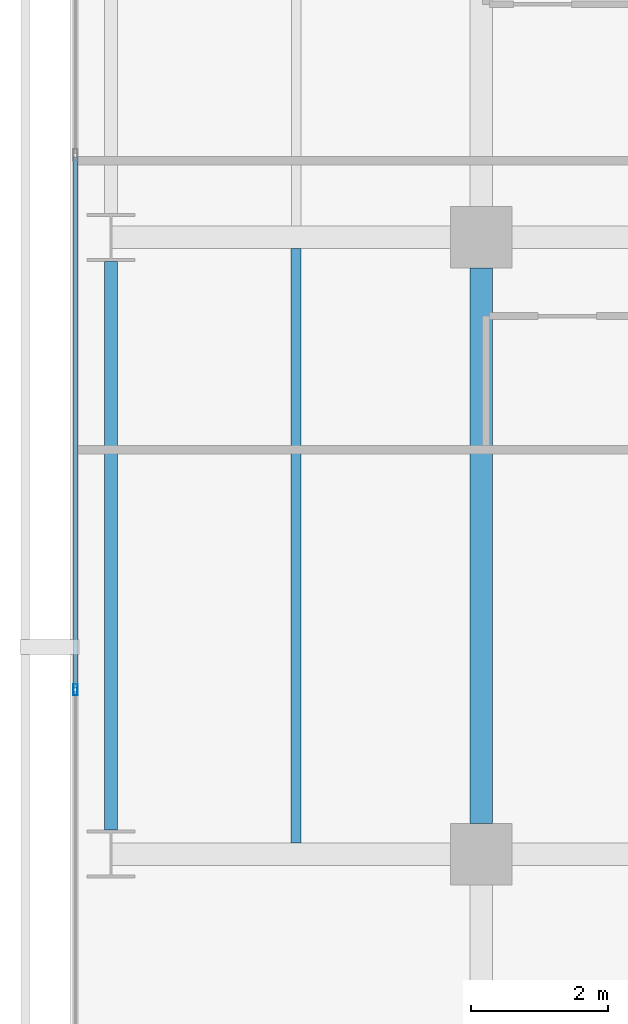
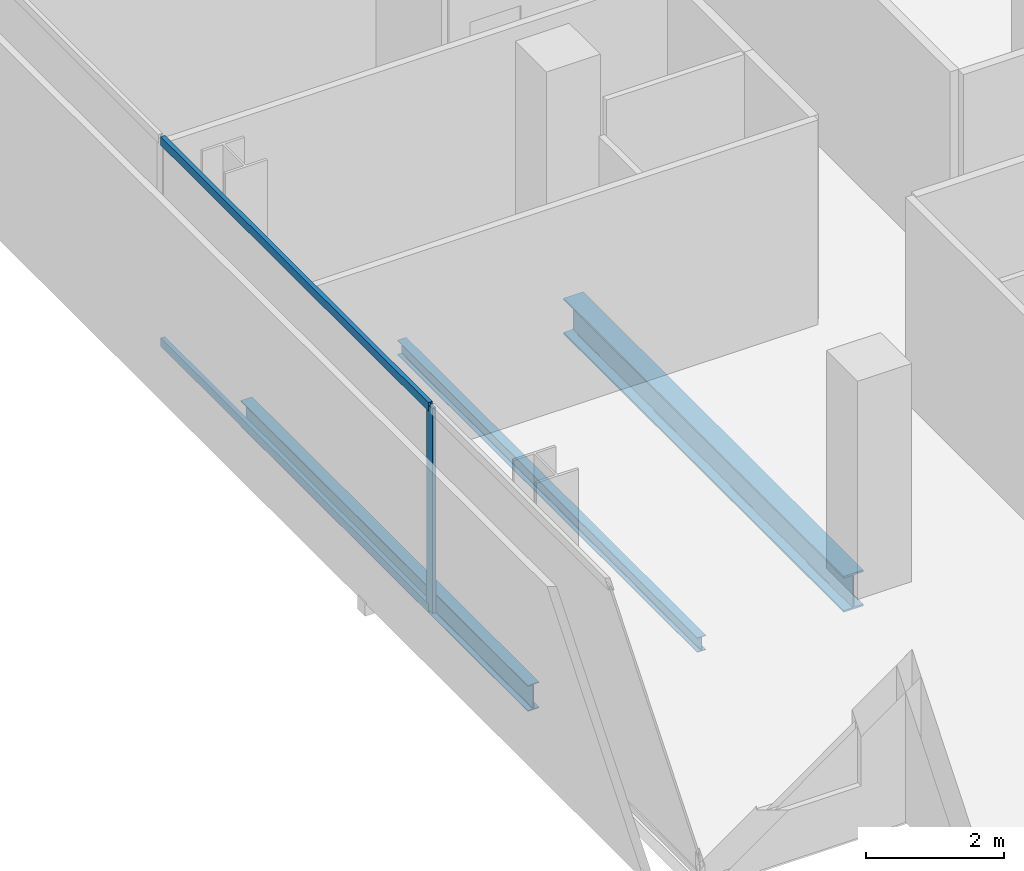
# One storey, part 5 of 40: 3 beams, 3 members, 1 element without a shape of its own.
"""IFC4 building model written with IfcOpenShell, lengths in metres."""

from ifc_helpers import new_model, si_unit, direction, frame, origin, origin_2d, place, context, subcontext, project, spatial, hollow_rectangle, i_section, extrude, material, layer, layer_set, material_profile, profile_set, type_object, element, aggregate, save


model = new_model("IFC4")

# Units and contexts
model_context = context("Model", 3, precision=1e-05, world=origin(), true_north=direction((0.0, 1.0)))
body_context = subcontext(model_context, "Body", "Model", "MODEL_VIEW")
ifc_project = project(units=[si_unit("LENGTHUNIT", "METRE"), si_unit("AREAUNIT", "SQUARE_METRE"), si_unit("VOLUMEUNIT", "CUBIC_METRE"), si_unit("PLANEANGLEUNIT", "RADIAN"), si_unit("MASSUNIT", "GRAM", prefix="KILO")], contexts=[model_context])

# Site, building, storey
site_placement = place(None, origin())
site = spatial("IfcSite", under=ifc_project, at=site_placement, CompositionType="ELEMENT")
building_placement = place(site_placement, origin())
building = spatial("IfcBuilding", under=site, at=building_placement, Name="Maruvema Waterfront Hotel and Observation Tower", CompositionType="ELEMENT")
storey_placement = place(building_placement, frame((0.0, 0.0, 30.800048828125)))
storey = spatial("IfcBuildingStorey", under=building, at=storey_placement, Name="L06", CompositionType="ELEMENT", Elevation=30.800048828125)

# Curtain wall, members
ifc_material_1 = material(Name="Anodised bronze aluminium and solar-control low-E IGU", Category="aluminium")
ifc_layer = layer(ifc_material_1, 0.159912109375, Name="Zone 1 Bronze Inner Thermal Curtain Wall System CW-02")
ifc_layer_set = layer_set([ifc_layer], Name="Anodised bronze aluminium and solar-control low-E IGU")
curtain_wall_type = type_object("IfcCurtainWallType", Name="Zone 1 Bronze Inner Thermal Curtain Wall System CW-02", PredefinedType="USERDEFINED", material=ifc_layer_set)
curtain_wall_placement = place(storey_placement, origin())
curtain_wall = element("IfcCurtainWall", 1, at=curtain_wall_placement, inside=storey, type_object=curtain_wall_type, Name="L06 Curtain Wall CW-L06-W", ObjectType="UNITISED CURTAIN WALL", PredefinedType="USERDEFINED")
ifc_material_2 = material(Name="Anodised architectural bronze aluminium", Category="aluminium")
ifc_material_profile_1 = material_profile(ifc_material_2, hollow_rectangle(XDim=0.070068359375, YDim=0.14990234375, WallThickness=0.00390625, at=origin_2d()), Name="ALU-T70x150")
ifc_profile_set_1 = profile_set([ifc_material_profile_1], Name="Anodised architectural bronze aluminium")
member_type_1 = type_object("IfcMemberType", Name="Curtain Wall Horizontal Transom ALU-T70x150", PredefinedType="USERDEFINED", material=ifc_profile_set_1)
member_1_placement = place(storey_placement, frame((10.8798828125, 19.169921875, 0.030029296875), z_axis=(0.0, -1.0, 0.0), x_axis=(1.0, 0.0, 0.0)))
member_1 = element("IfcMember", 2, at=member_1_placement, type_object=member_type_1, Name="CW-02 transom 5.1", ObjectType="TRANSOM", PredefinedType="USERDEFINED", context=body_context, shape_type="SweptSolid", body=[
    extrude(hollow_rectangle(XDim=0.070068359375, YDim=0.14990234375, WallThickness=0.00390625, at=origin_2d()), origin(), (0.0, 0.0, 1.0), 7.739990234375),
])
member_2_placement = place(storey_placement, frame((10.8798828125, 19.169921875, 3.579833984375), z_axis=(0.0, -1.0, 0.0), x_axis=(1.0, 0.0, 0.0)))
member_2 = element("IfcMember", 3, at=member_2_placement, type_object=member_type_1, Name="CW-02 transom 5.2", ObjectType="TRANSOM", PredefinedType="USERDEFINED", context=body_context, shape_type="SweptSolid", body=[
    extrude(hollow_rectangle(XDim=0.070068359375, YDim=0.14990234375, WallThickness=0.00390625, at=origin_2d()), origin(), (0.0, 0.0, 1.0), 7.739990234375),
])
ifc_material_3 = material(Name="Anodised architectural bronze aluminium", Category="aluminium")
ifc_material_profile_2 = material_profile(ifc_material_3, hollow_rectangle(XDim=0.06494140625, YDim=0.1650390625, WallThickness=0.00390625, at=origin_2d()), Name="ALU-M65x165")
ifc_profile_set_2 = profile_set([ifc_material_profile_2], Name="Anodised architectural bronze aluminium")
member_type_2 = type_object("IfcMemberType", Name="Curtain Wall Primary Mullion ALU-M65x165", PredefinedType="MULLION", material=ifc_profile_set_2)
member_3_placement = place(storey_placement, frame((10.8798828125, 11.39990234375, 0.0), z_axis=(0.0, 0.0, 1.0), x_axis=(1.0, 0.0, 0.0)))
member_3 = element("IfcMember", 4, at=member_3_placement, type_object=member_type_2, Name="CW-02 mullion 6", PredefinedType="MULLION", context=body_context, shape_type="SweptSolid", body=[
    extrude(hollow_rectangle(XDim=0.06494140625, YDim=0.1650390625, WallThickness=0.00390625, at=origin_2d()), origin(), (0.0, 0.0, 1.0), 3.60986328125),
])
aggregate(curtain_wall, [member_3, member_1, member_2])

# Beams
ifc_material_4 = material(Name="Steel ASTM A572 Grade 50", Category="steel")
ifc_material_profile_3 = material_profile(ifc_material_4, i_section(OverallWidth=0.18994140625, OverallDepth=0.45703125, WebThickness=0.009033203125, FlangeThickness=0.014404296875, FilletRadius=0.014892578125, at=origin_2d()), Name="W460x74.0")
ifc_profile_set_3 = profile_set([ifc_material_profile_3], Name="Steel ASTM A572 Grade 50")
beam_type_1 = type_object("IfcBeamType", Name="Perimeter Spandrel Beam W460x74.0", PredefinedType="SPANDREL", material=ifc_profile_set_3)
beam_1_placement = place(storey_placement, frame((11.39990234375, 9.35009765625, -0.468505859375), z_axis=(0.0, 1.0, 0.0), x_axis=(-1.0, 0.0, 0.0)))
element("IfcBeam", 5, at=beam_1_placement, inside=storey, type_object=beam_type_1, Name="L06 Floor Girder NS-01", PredefinedType="SPANDREL", context=body_context, shape_type="SweptSolid", body=[
    extrude(i_section(OverallWidth=0.18994140625, OverallDepth=0.45703125, WebThickness=0.009033203125, FlangeThickness=0.014404296875, FilletRadius=0.014892578125, at=origin_2d()), origin(), (0.0, 0.0, 1.0), 8.2998046875),
])
ifc_material_5 = material(Name="Steel ASTM A572 Grade 50", Category="steel")
ifc_material_profile_4 = material_profile(ifc_material_5, i_section(OverallWidth=0.3291015625, OverallDepth=0.635009765625, WebThickness=0.017822265625, FlangeThickness=0.031005859375, FilletRadius=0.01806640625, at=origin_2d()), Name="W610x241.0")
ifc_profile_set_4 = profile_set([ifc_material_profile_4], Name="Steel ASTM A572 Grade 50")
beam_type_2 = type_object("IfcBeamType", Name="Primary Floor Girder W610x241.0", PredefinedType="BEAM", material=ifc_profile_set_4)
beam_2_placement = place(storey_placement, frame((16.800048828125, 9.449951171875, -0.5576171875), z_axis=(0.0, 1.0, 0.0), x_axis=(-1.0, 0.0, 0.0)))
element("IfcBeam", 6, at=beam_2_placement, inside=storey, type_object=beam_type_2, Name="L06 Floor Girder NS-06", PredefinedType="BEAM", context=body_context, shape_type="SweptSolid", body=[
    extrude(i_section(OverallWidth=0.3291015625, OverallDepth=0.635009765625, WebThickness=0.017822265625, FlangeThickness=0.031005859375, FilletRadius=0.01806640625, at=origin_2d()), origin(), (0.0, 0.0, 1.0), 8.10009765625),
])
ifc_material_6 = material(Name="Steel ASTM A572 Grade 50", Category="steel")
ifc_material_profile_5 = material_profile(ifc_material_6, i_section(OverallWidth=0.14599609375, OverallDepth=0.258056640625, WebThickness=0.006103515625, FlangeThickness=0.009033203125, FilletRadius=0.012939453125, at=origin_2d()), Name="W250x32.7")
ifc_profile_set_5 = profile_set([ifc_material_profile_5], Name="Steel ASTM A572 Grade 50")
beam_type_3 = type_object("IfcBeamType", Name="Secondary Floor Joist W250x32.7", PredefinedType="JOIST", material=ifc_profile_set_5)
beam_3_placement = place(storey_placement, frame((14.10009765625, 9.16455078125, -0.369140625), z_axis=(0.0, 1.0, 0.0), x_axis=(-1.0, 0.0, 0.0)))
element("IfcBeam", 7, at=beam_3_placement, inside=storey, type_object=beam_type_3, Name="L06 Secondary Floor Joist JS-01", PredefinedType="JOIST", context=body_context, shape_type="SweptSolid", body=[
    extrude(i_section(OverallWidth=0.14599609375, OverallDepth=0.258056640625, WebThickness=0.006103515625, FlangeThickness=0.009033203125, FilletRadius=0.012939453125, at=origin_2d()), origin(), (0.0, 0.0, 1.0), 8.6708984375),
])

save(model, "model.ifc")
